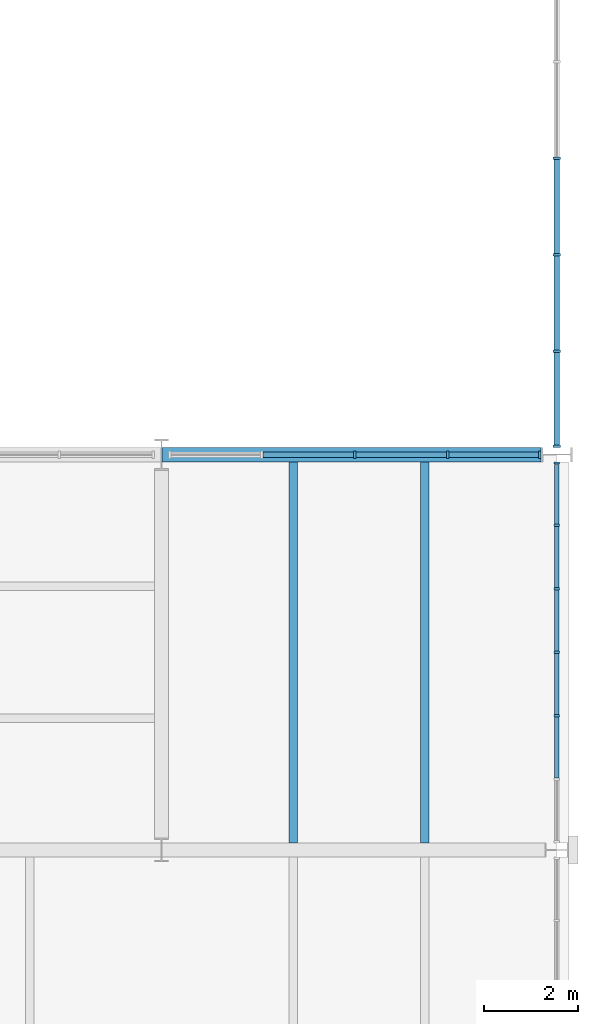
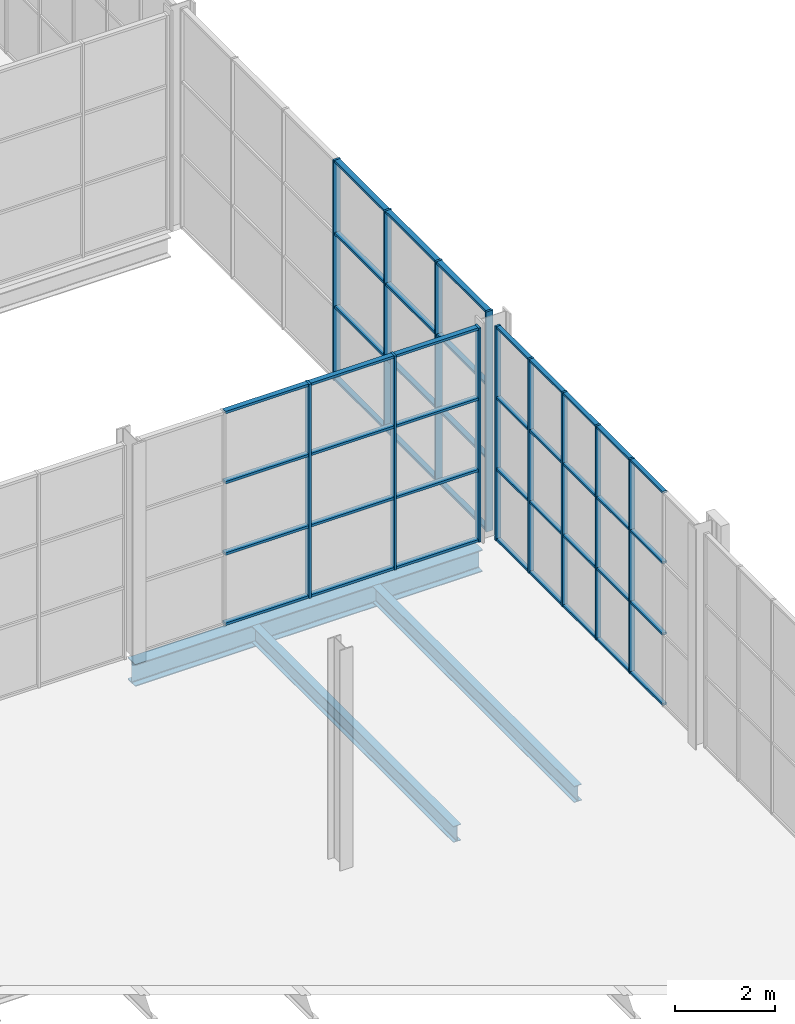
# One storey, part 25 of 64: 56 members, 3 beams, 3 elements without a shape of their own.
"""IFC4 building model written with IfcOpenShell, lengths in metres."""

from ifc_helpers import new_model, si_unit, direction, frame, origin, origin_2d, place, context, subcontext, project, spatial, rectangle, i_section, extrude, material, layer, layer_set, material_profile, profile_set, type_object, element, aggregate, save


model = new_model("IFC4")

# Units and contexts
model_context = context("Model", 3, precision=1e-05, world=origin(), true_north=direction((0.0, 1.0)))
body_context = subcontext(model_context, "Body", "Model", "MODEL_VIEW")
ifc_project = project(units=[si_unit("LENGTHUNIT", "METRE"), si_unit("AREAUNIT", "SQUARE_METRE"), si_unit("VOLUMEUNIT", "CUBIC_METRE"), si_unit("PLANEANGLEUNIT", "RADIAN"), si_unit("MASSUNIT", "GRAM", prefix="KILO")], contexts=[model_context])

# Site, building, storey
site_placement = place(None, origin())
site = spatial("IfcSite", under=ifc_project, at=site_placement, CompositionType="ELEMENT")
building_placement = place(site_placement, origin())
building = spatial("IfcBuilding", under=site, at=building_placement, Name="Galleria Vessillo Department Store", CompositionType="ELEMENT")
storey_placement = place(building_placement, frame((0.0, 0.0, 6.0)))
storey = spatial("IfcBuildingStorey", under=building, at=storey_placement, Name="L01", CompositionType="ELEMENT", Elevation=6.0)

# Curtain wall, members
ifc_material_1 = material(Name="Aluminium and glass curtain wall", Category="aluminium")
ifc_layer_1 = layer(ifc_material_1, 0.1201171875)
ifc_layer_set_1 = layer_set([ifc_layer_1], Name="Aluminium and glass curtain wall")
curtain_wall_type_1 = type_object("IfcCurtainWallType", Name="Shopfront curtain wall CW3 1400 module", PredefinedType="NOTDEFINED", material=ifc_layer_set_1)
curtain_wall_1_placement = place(storey_placement, origin())
curtain_wall_1 = element("IfcCurtainWall", 1, at=curtain_wall_1_placement, inside=storey, type_object=curtain_wall_type_1, Name="Shopfront curtain wall CW3 1400 module SE-S-L01-02", PredefinedType="NOTDEFINED")
ifc_material_2 = material(Name="Aluminium alloy 6063 T6", Category="aluminium")
ifc_material_profile_1 = material_profile(ifc_material_2, rectangle(XDim=0.1201171875, YDim=0.050048828125, at=origin_2d()), Name="AL 50x120")
ifc_profile_set_1 = profile_set([ifc_material_profile_1], Name="Aluminium alloy 6063 T6")
member_type_1 = type_object("IfcMemberType", Name="Aluminium mullion 50 x 120", PredefinedType="MULLION", material=ifc_profile_set_1)
member_1_placement = place(storey_placement, frame((117.60009765625, 19.649169921875, 0.0), z_axis=(0.0, 0.0, 1.0), x_axis=(-1.0, 0.0, 0.0)))
member_1 = element("IfcMember", 2, at=member_1_placement, type_object=member_type_1, Name="CW3 mullion 3", PredefinedType="MULLION", context=body_context, shape_type="SweptSolid", body=[
    extrude(rectangle(XDim=0.1201171875, YDim=0.050048828125, at=origin_2d()), origin(), (0.0, 0.0, 1.0), 5.25),
])
member_2_placement = place(storey_placement, frame((117.60009765625, 20.998779296875, 0.0), z_axis=(0.0, 0.0, 1.0), x_axis=(-1.0, 0.0, 0.0)))
member_2 = element("IfcMember", 3, at=member_2_placement, type_object=member_type_1, Name="CW3 mullion 4", PredefinedType="MULLION", context=body_context, shape_type="SweptSolid", body=[
    extrude(rectangle(XDim=0.1201171875, YDim=0.050048828125, at=origin_2d()), origin(), (0.0, 0.0, 1.0), 5.25),
])
member_3_placement = place(storey_placement, frame((117.60009765625, 22.34814453125, 0.0), z_axis=(0.0, 0.0, 1.0), x_axis=(-1.0, 0.0, 0.0)))
member_3 = element("IfcMember", 4, at=member_3_placement, type_object=member_type_1, Name="CW3 mullion 5", PredefinedType="MULLION", context=body_context, shape_type="SweptSolid", body=[
    extrude(rectangle(XDim=0.1201171875, YDim=0.050048828125, at=origin_2d()), origin(), (0.0, 0.0, 1.0), 5.25),
])
member_4_placement = place(storey_placement, frame((117.60009765625, 23.69775390625, 0.0), z_axis=(0.0, 0.0, 1.0), x_axis=(-1.0, 0.0, 0.0)))
member_4 = element("IfcMember", 5, at=member_4_placement, type_object=member_type_1, Name="CW3 mullion 6", PredefinedType="MULLION", context=body_context, shape_type="SweptSolid", body=[
    extrude(rectangle(XDim=0.1201171875, YDim=0.050048828125, at=origin_2d()), origin(), (0.0, 0.0, 1.0), 5.25),
])
member_5_placement = place(storey_placement, frame((117.60009765625, 25.0224609375, 0.0), z_axis=(0.0, 0.0, 1.0), x_axis=(-1.0, 0.0, 0.0)))
member_5 = element("IfcMember", 6, at=member_5_placement, type_object=member_type_1, Name="CW3 mullion 7", PredefinedType="MULLION", context=body_context, shape_type="SweptSolid", body=[
    extrude(rectangle(XDim=0.1201171875, YDim=0.050048828125, at=origin_2d()), origin(), (0.0, 0.0, 1.0), 5.25),
])

ifc_material_3 = material(Name="Aluminium and glass curtain wall", Category="aluminium")
ifc_layer_2 = layer(ifc_material_3, 0.159912109375)
ifc_layer_set_2 = layer_set([ifc_layer_2], Name="Aluminium and glass curtain wall")
curtain_wall_type_2 = type_object("IfcCurtainWallType", Name="Arcade portal glazing CW2 2100 module", PredefinedType="NOTDEFINED", material=ifc_layer_set_2)
curtain_wall_2_placement = place(storey_placement, origin())
curtain_wall_2 = element("IfcCurtainWall", 7, at=curtain_wall_2_placement, inside=storey, type_object=curtain_wall_type_2, Name="Arcade portal glazing CW2 2100 module PW-E-S-L01-02", PredefinedType="NOTDEFINED")
ifc_material_4 = material(Name="Aluminium alloy 6063 T6", Category="aluminium")
ifc_material_profile_2 = material_profile(ifc_material_4, rectangle(XDim=0.159912109375, YDim=0.050048828125, at=origin_2d()), Name="AL 50x160")
ifc_profile_set_2 = profile_set([ifc_material_profile_2], Name="Aluminium alloy 6063 T6")
member_type_2 = type_object("IfcMemberType", Name="Aluminium mullion 50 x 160", PredefinedType="MULLION", material=ifc_profile_set_2)
member_6_placement = place(storey_placement, frame((113.309326171875, 25.199951171875, 0.0), z_axis=(0.0, 0.0, 1.0), x_axis=(0.0, 1.0, 0.0)))
member_6 = element("IfcMember", 8, at=member_6_placement, type_object=member_type_2, Name="CW2 mullion 3", PredefinedType="MULLION", context=body_context, shape_type="SweptSolid", body=[
    extrude(rectangle(XDim=0.159912109375, YDim=0.050048828125, at=origin_2d()), origin(), (0.0, 0.0, 1.0), 5.25),
])
member_7_placement = place(storey_placement, frame((115.28759765625, 25.199951171875, 0.0), z_axis=(0.0, 0.0, 1.0), x_axis=(0.0, 1.0, 0.0)))
member_7 = element("IfcMember", 9, at=member_7_placement, type_object=member_type_2, Name="CW2 mullion 4", PredefinedType="MULLION", context=body_context, shape_type="SweptSolid", body=[
    extrude(rectangle(XDim=0.159912109375, YDim=0.050048828125, at=origin_2d()), origin(), (0.0, 0.0, 1.0), 5.25),
])
member_8_placement = place(storey_placement, frame((117.2412109375, 25.199951171875, 0.0), z_axis=(0.0, 0.0, 1.0), x_axis=(0.0, 1.0, 0.0)))
member_8 = element("IfcMember", 10, at=member_8_placement, type_object=member_type_2, Name="CW2 mullion 5", PredefinedType="MULLION", context=body_context, shape_type="SweptSolid", body=[
    extrude(rectangle(XDim=0.159912109375, YDim=0.050048828125, at=origin_2d()), origin(), (0.0, 0.0, 1.0), 5.25),
])

curtain_wall_3_placement = place(storey_placement, origin())
curtain_wall_3 = element("IfcCurtainWall", 11, at=curtain_wall_3_placement, inside=storey, type_object=curtain_wall_type_2, Name="Arcade portal glazing CW2 2100 module SCR-E-L01-01", PredefinedType="NOTDEFINED")
member_9_placement = place(storey_placement, frame((117.60009765625, 25.37744140625, 0.0), z_axis=(0.0, 0.0, 1.0), x_axis=(-1.0, 0.0, 0.0)))
member_9 = element("IfcMember", 12, at=member_9_placement, type_object=member_type_2, Name="CW2 mullion 1", PredefinedType="MULLION", context=body_context, shape_type="SweptSolid", body=[
    extrude(rectangle(XDim=0.159912109375, YDim=0.050048828125, at=origin_2d()), origin(), (0.0, 0.0, 1.0), 5.39990234375),
])
member_10_placement = place(storey_placement, frame((117.60009765625, 27.401611328125, 0.0), z_axis=(0.0, 0.0, 1.0), x_axis=(-1.0, 0.0, 0.0)))
member_10 = element("IfcMember", 13, at=member_10_placement, type_object=member_type_2, Name="CW2 mullion 2", PredefinedType="MULLION", context=body_context, shape_type="SweptSolid", body=[
    extrude(rectangle(XDim=0.159912109375, YDim=0.050048828125, at=origin_2d()), origin(), (0.0, 0.0, 1.0), 5.39990234375),
])
member_11_placement = place(storey_placement, frame((117.60009765625, 29.45068359375, 0.0), z_axis=(0.0, 0.0, 1.0), x_axis=(-1.0, 0.0, 0.0)))
member_11 = element("IfcMember", 14, at=member_11_placement, type_object=member_type_2, Name="CW2 mullion 3", PredefinedType="MULLION", context=body_context, shape_type="SweptSolid", body=[
    extrude(rectangle(XDim=0.159912109375, YDim=0.050048828125, at=origin_2d()), origin(), (0.0, 0.0, 1.0), 5.39990234375),
])
member_12_placement = place(storey_placement, frame((117.60009765625, 31.499755859375, 0.0), z_axis=(0.0, 0.0, 1.0), x_axis=(-1.0, 0.0, 0.0)))
member_12 = element("IfcMember", 15, at=member_12_placement, type_object=member_type_2, Name="CW2 mullion 4", PredefinedType="MULLION", context=body_context, shape_type="SweptSolid", body=[
    extrude(rectangle(XDim=0.159912109375, YDim=0.050048828125, at=origin_2d()), origin(), (0.0, 0.0, 1.0), 5.39990234375),
])

# Member
ifc_material_5 = material(Name="Aluminium alloy 6063 T6", Category="aluminium")
ifc_material_profile_3 = material_profile(ifc_material_5, rectangle(XDim=0.10009765625, YDim=0.050048828125, at=origin_2d()), Name="AL 50x100")
ifc_profile_set_3 = profile_set([ifc_material_profile_3], Name="Aluminium alloy 6063 T6")
member_type_3 = type_object("IfcMemberType", Name="Aluminium transom 50 x 100", PredefinedType="USERDEFINED", material=ifc_profile_set_3)
member_13_placement = place(storey_placement, frame((117.60009765625, 18.324462890625, 0.02490234375), z_axis=(0.0, 1.0, 0.0), x_axis=(-1.0, 0.0, 0.0)))
member_13 = element("IfcMember", 16, at=member_13_placement, type_object=member_type_3, Name="CW3 transom 2.1", ObjectType="TRANSOM", PredefinedType="USERDEFINED", context=body_context, shape_type="SweptSolid", body=[
    extrude(rectangle(XDim=0.10009765625, YDim=0.050048828125, at=origin_2d()), origin(), (0.0, 0.0, 1.0), 1.299560546875),
])

member_14_placement = place(storey_placement, frame((117.60009765625, 18.324462890625, 1.75), z_axis=(0.0, 1.0, 0.0), x_axis=(-1.0, 0.0, 0.0)))
member_14 = element("IfcMember", 17, at=member_14_placement, type_object=member_type_3, Name="CW3 transom 2.2", ObjectType="TRANSOM", PredefinedType="USERDEFINED", context=body_context, shape_type="SweptSolid", body=[
    extrude(rectangle(XDim=0.10009765625, YDim=0.050048828125, at=origin_2d()), origin(), (0.0, 0.0, 1.0), 1.299560546875),
])

member_15_placement = place(storey_placement, frame((117.60009765625, 18.324462890625, 3.5), z_axis=(0.0, 1.0, 0.0), x_axis=(-1.0, 0.0, 0.0)))
member_15 = element("IfcMember", 18, at=member_15_placement, type_object=member_type_3, Name="CW3 transom 2.3", ObjectType="TRANSOM", PredefinedType="USERDEFINED", context=body_context, shape_type="SweptSolid", body=[
    extrude(rectangle(XDim=0.10009765625, YDim=0.050048828125, at=origin_2d()), origin(), (0.0, 0.0, 1.0), 1.299560546875),
])

member_16_placement = place(storey_placement, frame((117.60009765625, 18.324462890625, 5.22509765625), z_axis=(0.0, 1.0, 0.0), x_axis=(-1.0, 0.0, 0.0)))
member_16 = element("IfcMember", 19, at=member_16_placement, type_object=member_type_3, Name="CW3 transom 2.4", ObjectType="TRANSOM", PredefinedType="USERDEFINED", context=body_context, shape_type="SweptSolid", body=[
    extrude(rectangle(XDim=0.10009765625, YDim=0.050048828125, at=origin_2d()), origin(), (0.0, 0.0, 1.0), 1.299560546875),
])

member_17_placement = place(storey_placement, frame((117.60009765625, 19.674072265625, 0.02490234375), z_axis=(0.0, 1.0, 0.0), x_axis=(-1.0, 0.0, 0.0)))
member_17 = element("IfcMember", 20, at=member_17_placement, type_object=member_type_3, Name="CW3 transom 3.1", ObjectType="TRANSOM", PredefinedType="USERDEFINED", context=body_context, shape_type="SweptSolid", body=[
    extrude(rectangle(XDim=0.10009765625, YDim=0.050048828125, at=origin_2d()), origin(), (0.0, 0.0, 1.0), 1.299560546875),
])

member_18_placement = place(storey_placement, frame((117.60009765625, 19.674072265625, 1.75), z_axis=(0.0, 1.0, 0.0), x_axis=(-1.0, 0.0, 0.0)))
member_18 = element("IfcMember", 21, at=member_18_placement, type_object=member_type_3, Name="CW3 transom 3.2", ObjectType="TRANSOM", PredefinedType="USERDEFINED", context=body_context, shape_type="SweptSolid", body=[
    extrude(rectangle(XDim=0.10009765625, YDim=0.050048828125, at=origin_2d()), origin(), (0.0, 0.0, 1.0), 1.299560546875),
])

member_19_placement = place(storey_placement, frame((117.60009765625, 19.674072265625, 3.5), z_axis=(0.0, 1.0, 0.0), x_axis=(-1.0, 0.0, 0.0)))
member_19 = element("IfcMember", 22, at=member_19_placement, type_object=member_type_3, Name="CW3 transom 3.3", ObjectType="TRANSOM", PredefinedType="USERDEFINED", context=body_context, shape_type="SweptSolid", body=[
    extrude(rectangle(XDim=0.10009765625, YDim=0.050048828125, at=origin_2d()), origin(), (0.0, 0.0, 1.0), 1.299560546875),
])

member_20_placement = place(storey_placement, frame((117.60009765625, 19.674072265625, 5.22509765625), z_axis=(0.0, 1.0, 0.0), x_axis=(-1.0, 0.0, 0.0)))
member_20 = element("IfcMember", 23, at=member_20_placement, type_object=member_type_3, Name="CW3 transom 3.4", ObjectType="TRANSOM", PredefinedType="USERDEFINED", context=body_context, shape_type="SweptSolid", body=[
    extrude(rectangle(XDim=0.10009765625, YDim=0.050048828125, at=origin_2d()), origin(), (0.0, 0.0, 1.0), 1.299560546875),
])

member_21_placement = place(storey_placement, frame((117.60009765625, 21.023681640625, 0.02490234375), z_axis=(0.0, 1.0, 0.0), x_axis=(-1.0, 0.0, 0.0)))
member_21 = element("IfcMember", 24, at=member_21_placement, type_object=member_type_3, Name="CW3 transom 4.1", ObjectType="TRANSOM", PredefinedType="USERDEFINED", context=body_context, shape_type="SweptSolid", body=[
    extrude(rectangle(XDim=0.10009765625, YDim=0.050048828125, at=origin_2d()), origin(), (0.0, 0.0, 1.0), 1.299560546875),
])

member_22_placement = place(storey_placement, frame((117.60009765625, 21.023681640625, 1.75), z_axis=(0.0, 1.0, 0.0), x_axis=(-1.0, 0.0, 0.0)))
member_22 = element("IfcMember", 25, at=member_22_placement, type_object=member_type_3, Name="CW3 transom 4.2", ObjectType="TRANSOM", PredefinedType="USERDEFINED", context=body_context, shape_type="SweptSolid", body=[
    extrude(rectangle(XDim=0.10009765625, YDim=0.050048828125, at=origin_2d()), origin(), (0.0, 0.0, 1.0), 1.299560546875),
])

member_23_placement = place(storey_placement, frame((117.60009765625, 21.023681640625, 3.5), z_axis=(0.0, 1.0, 0.0), x_axis=(-1.0, 0.0, 0.0)))
member_23 = element("IfcMember", 26, at=member_23_placement, type_object=member_type_3, Name="CW3 transom 4.3", ObjectType="TRANSOM", PredefinedType="USERDEFINED", context=body_context, shape_type="SweptSolid", body=[
    extrude(rectangle(XDim=0.10009765625, YDim=0.050048828125, at=origin_2d()), origin(), (0.0, 0.0, 1.0), 1.299560546875),
])

member_24_placement = place(storey_placement, frame((117.60009765625, 21.023681640625, 5.22509765625), z_axis=(0.0, 1.0, 0.0), x_axis=(-1.0, 0.0, 0.0)))
member_24 = element("IfcMember", 27, at=member_24_placement, type_object=member_type_3, Name="CW3 transom 4.4", ObjectType="TRANSOM", PredefinedType="USERDEFINED", context=body_context, shape_type="SweptSolid", body=[
    extrude(rectangle(XDim=0.10009765625, YDim=0.050048828125, at=origin_2d()), origin(), (0.0, 0.0, 1.0), 1.299560546875),
])

member_25_placement = place(storey_placement, frame((117.60009765625, 22.373291015625, 0.02490234375), z_axis=(0.0, 1.0, 0.0), x_axis=(-1.0, 0.0, 0.0)))
member_25 = element("IfcMember", 28, at=member_25_placement, type_object=member_type_3, Name="CW3 transom 5.1", ObjectType="TRANSOM", PredefinedType="USERDEFINED", context=body_context, shape_type="SweptSolid", body=[
    extrude(rectangle(XDim=0.10009765625, YDim=0.050048828125, at=origin_2d()), origin(), (0.0, 0.0, 1.0), 1.299560546875),
])

member_26_placement = place(storey_placement, frame((117.60009765625, 22.373291015625, 1.75), z_axis=(0.0, 1.0, 0.0), x_axis=(-1.0, 0.0, 0.0)))
member_26 = element("IfcMember", 29, at=member_26_placement, type_object=member_type_3, Name="CW3 transom 5.2", ObjectType="TRANSOM", PredefinedType="USERDEFINED", context=body_context, shape_type="SweptSolid", body=[
    extrude(rectangle(XDim=0.10009765625, YDim=0.050048828125, at=origin_2d()), origin(), (0.0, 0.0, 1.0), 1.299560546875),
])

member_27_placement = place(storey_placement, frame((117.60009765625, 22.373291015625, 3.5), z_axis=(0.0, 1.0, 0.0), x_axis=(-1.0, 0.0, 0.0)))
member_27 = element("IfcMember", 30, at=member_27_placement, type_object=member_type_3, Name="CW3 transom 5.3", ObjectType="TRANSOM", PredefinedType="USERDEFINED", context=body_context, shape_type="SweptSolid", body=[
    extrude(rectangle(XDim=0.10009765625, YDim=0.050048828125, at=origin_2d()), origin(), (0.0, 0.0, 1.0), 1.299560546875),
])

member_28_placement = place(storey_placement, frame((117.60009765625, 22.373291015625, 5.22509765625), z_axis=(0.0, 1.0, 0.0), x_axis=(-1.0, 0.0, 0.0)))
member_28 = element("IfcMember", 31, at=member_28_placement, type_object=member_type_3, Name="CW3 transom 5.4", ObjectType="TRANSOM", PredefinedType="USERDEFINED", context=body_context, shape_type="SweptSolid", body=[
    extrude(rectangle(XDim=0.10009765625, YDim=0.050048828125, at=origin_2d()), origin(), (0.0, 0.0, 1.0), 1.299560546875),
])

member_29_placement = place(storey_placement, frame((117.60009765625, 23.722900390625, 0.02490234375), z_axis=(0.0, 1.0, 0.0), x_axis=(-1.0, 0.0, 0.0)))
member_29 = element("IfcMember", 32, at=member_29_placement, type_object=member_type_3, Name="CW3 transom 6.1", ObjectType="TRANSOM", PredefinedType="USERDEFINED", context=body_context, shape_type="SweptSolid", body=[
    extrude(rectangle(XDim=0.10009765625, YDim=0.050048828125, at=origin_2d()), origin(), (0.0, 0.0, 1.0), 1.2744140625),
])

member_30_placement = place(storey_placement, frame((117.60009765625, 23.722900390625, 1.75), z_axis=(0.0, 1.0, 0.0), x_axis=(-1.0, 0.0, 0.0)))
member_30 = element("IfcMember", 33, at=member_30_placement, type_object=member_type_3, Name="CW3 transom 6.2", ObjectType="TRANSOM", PredefinedType="USERDEFINED", context=body_context, shape_type="SweptSolid", body=[
    extrude(rectangle(XDim=0.10009765625, YDim=0.050048828125, at=origin_2d()), origin(), (0.0, 0.0, 1.0), 1.2744140625),
])

member_31_placement = place(storey_placement, frame((117.60009765625, 23.722900390625, 3.5), z_axis=(0.0, 1.0, 0.0), x_axis=(-1.0, 0.0, 0.0)))
member_31 = element("IfcMember", 34, at=member_31_placement, type_object=member_type_3, Name="CW3 transom 6.3", ObjectType="TRANSOM", PredefinedType="USERDEFINED", context=body_context, shape_type="SweptSolid", body=[
    extrude(rectangle(XDim=0.10009765625, YDim=0.050048828125, at=origin_2d()), origin(), (0.0, 0.0, 1.0), 1.2744140625),
])

member_32_placement = place(storey_placement, frame((117.60009765625, 23.722900390625, 5.22509765625), z_axis=(0.0, 1.0, 0.0), x_axis=(-1.0, 0.0, 0.0)))
member_32 = element("IfcMember", 35, at=member_32_placement, type_object=member_type_3, Name="CW3 transom 6.4", ObjectType="TRANSOM", PredefinedType="USERDEFINED", context=body_context, shape_type="SweptSolid", body=[
    extrude(rectangle(XDim=0.10009765625, YDim=0.050048828125, at=origin_2d()), origin(), (0.0, 0.0, 1.0), 1.2744140625),
])

aggregate(curtain_wall_1, [member_1, member_2, member_3, member_4, member_5, member_13, member_14, member_15, member_16, member_17, member_18, member_19, member_20, member_21, member_22, member_23, member_24, member_25, member_26, member_27, member_28, member_29, member_30, member_31, member_32])

ifc_material_6 = material(Name="Aluminium alloy 6063 T6", Category="aluminium")
ifc_material_profile_4 = material_profile(ifc_material_6, rectangle(XDim=0.1201171875, YDim=0.06005859375, at=origin_2d()), Name="AL 60x120")
ifc_profile_set_4 = profile_set([ifc_material_profile_4], Name="Aluminium alloy 6063 T6")
member_type_4 = type_object("IfcMemberType", Name="Aluminium transom 60 x 120", PredefinedType="USERDEFINED", material=ifc_profile_set_4)
member_33_placement = place(storey_placement, frame((111.35595703125, 25.199951171875, 0.030029296875), z_axis=(1.0, 0.0, 0.0), x_axis=(0.0, 1.0, 0.0)))
member_33 = element("IfcMember", 36, at=member_33_placement, type_object=member_type_4, Name="CW2 transom 2.1", ObjectType="TRANSOM", PredefinedType="USERDEFINED", context=body_context, shape_type="SweptSolid", body=[
    extrude(rectangle(XDim=0.1201171875, YDim=0.06005859375, at=origin_2d()), origin(), (0.0, 0.0, 1.0), 1.928466796875),
])

member_34_placement = place(storey_placement, frame((111.35595703125, 25.199951171875, 1.75), z_axis=(1.0, 0.0, 0.0), x_axis=(0.0, 1.0, 0.0)))
member_34 = element("IfcMember", 37, at=member_34_placement, type_object=member_type_4, Name="CW2 transom 2.2", ObjectType="TRANSOM", PredefinedType="USERDEFINED", context=body_context, shape_type="SweptSolid", body=[
    extrude(rectangle(XDim=0.1201171875, YDim=0.06005859375, at=origin_2d()), origin(), (0.0, 0.0, 1.0), 1.928466796875),
])

member_35_placement = place(storey_placement, frame((111.35595703125, 25.199951171875, 3.5), z_axis=(1.0, 0.0, 0.0), x_axis=(0.0, 1.0, 0.0)))
member_35 = element("IfcMember", 38, at=member_35_placement, type_object=member_type_4, Name="CW2 transom 2.3", ObjectType="TRANSOM", PredefinedType="USERDEFINED", context=body_context, shape_type="SweptSolid", body=[
    extrude(rectangle(XDim=0.1201171875, YDim=0.06005859375, at=origin_2d()), origin(), (0.0, 0.0, 1.0), 1.928466796875),
])

member_36_placement = place(storey_placement, frame((111.35595703125, 25.199951171875, 5.219970703125), z_axis=(1.0, 0.0, 0.0), x_axis=(0.0, 1.0, 0.0)))
member_36 = element("IfcMember", 39, at=member_36_placement, type_object=member_type_4, Name="CW2 transom 2.4", ObjectType="TRANSOM", PredefinedType="USERDEFINED", context=body_context, shape_type="SweptSolid", body=[
    extrude(rectangle(XDim=0.1201171875, YDim=0.06005859375, at=origin_2d()), origin(), (0.0, 0.0, 1.0), 1.928466796875),
])

member_37_placement = place(storey_placement, frame((113.334228515625, 25.199951171875, 0.030029296875), z_axis=(1.0, 0.0, 0.0), x_axis=(0.0, 1.0, 0.0)))
member_37 = element("IfcMember", 40, at=member_37_placement, type_object=member_type_4, Name="CW2 transom 3.1", ObjectType="TRANSOM", PredefinedType="USERDEFINED", context=body_context, shape_type="SweptSolid", body=[
    extrude(rectangle(XDim=0.1201171875, YDim=0.06005859375, at=origin_2d()), origin(), (0.0, 0.0, 1.0), 1.928466796875),
])

member_38_placement = place(storey_placement, frame((113.334228515625, 25.199951171875, 1.75), z_axis=(1.0, 0.0, 0.0), x_axis=(0.0, 1.0, 0.0)))
member_38 = element("IfcMember", 41, at=member_38_placement, type_object=member_type_4, Name="CW2 transom 3.2", ObjectType="TRANSOM", PredefinedType="USERDEFINED", context=body_context, shape_type="SweptSolid", body=[
    extrude(rectangle(XDim=0.1201171875, YDim=0.06005859375, at=origin_2d()), origin(), (0.0, 0.0, 1.0), 1.928466796875),
])

member_39_placement = place(storey_placement, frame((113.334228515625, 25.199951171875, 3.5), z_axis=(1.0, 0.0, 0.0), x_axis=(0.0, 1.0, 0.0)))
member_39 = element("IfcMember", 42, at=member_39_placement, type_object=member_type_4, Name="CW2 transom 3.3", ObjectType="TRANSOM", PredefinedType="USERDEFINED", context=body_context, shape_type="SweptSolid", body=[
    extrude(rectangle(XDim=0.1201171875, YDim=0.06005859375, at=origin_2d()), origin(), (0.0, 0.0, 1.0), 1.928466796875),
])

member_40_placement = place(storey_placement, frame((113.334228515625, 25.199951171875, 5.219970703125), z_axis=(1.0, 0.0, 0.0), x_axis=(0.0, 1.0, 0.0)))
member_40 = element("IfcMember", 43, at=member_40_placement, type_object=member_type_4, Name="CW2 transom 3.4", ObjectType="TRANSOM", PredefinedType="USERDEFINED", context=body_context, shape_type="SweptSolid", body=[
    extrude(rectangle(XDim=0.1201171875, YDim=0.06005859375, at=origin_2d()), origin(), (0.0, 0.0, 1.0), 1.928466796875),
])

member_41_placement = place(storey_placement, frame((115.312744140625, 25.199951171875, 0.030029296875), z_axis=(1.0, 0.0, 0.0), x_axis=(0.0, 1.0, 0.0)))
member_41 = element("IfcMember", 44, at=member_41_placement, type_object=member_type_4, Name="CW2 transom 4.1", ObjectType="TRANSOM", PredefinedType="USERDEFINED", context=body_context, shape_type="SweptSolid", body=[
    extrude(rectangle(XDim=0.1201171875, YDim=0.06005859375, at=origin_2d()), origin(), (0.0, 0.0, 1.0), 1.9033203125),
])

member_42_placement = place(storey_placement, frame((115.312744140625, 25.199951171875, 1.75), z_axis=(1.0, 0.0, 0.0), x_axis=(0.0, 1.0, 0.0)))
member_42 = element("IfcMember", 45, at=member_42_placement, type_object=member_type_4, Name="CW2 transom 4.2", ObjectType="TRANSOM", PredefinedType="USERDEFINED", context=body_context, shape_type="SweptSolid", body=[
    extrude(rectangle(XDim=0.1201171875, YDim=0.06005859375, at=origin_2d()), origin(), (0.0, 0.0, 1.0), 1.9033203125),
])

member_43_placement = place(storey_placement, frame((115.312744140625, 25.199951171875, 3.5), z_axis=(1.0, 0.0, 0.0), x_axis=(0.0, 1.0, 0.0)))
member_43 = element("IfcMember", 46, at=member_43_placement, type_object=member_type_4, Name="CW2 transom 4.3", ObjectType="TRANSOM", PredefinedType="USERDEFINED", context=body_context, shape_type="SweptSolid", body=[
    extrude(rectangle(XDim=0.1201171875, YDim=0.06005859375, at=origin_2d()), origin(), (0.0, 0.0, 1.0), 1.9033203125),
])

member_44_placement = place(storey_placement, frame((115.312744140625, 25.199951171875, 5.219970703125), z_axis=(1.0, 0.0, 0.0), x_axis=(0.0, 1.0, 0.0)))
member_44 = element("IfcMember", 47, at=member_44_placement, type_object=member_type_4, Name="CW2 transom 4.4", ObjectType="TRANSOM", PredefinedType="USERDEFINED", context=body_context, shape_type="SweptSolid", body=[
    extrude(rectangle(XDim=0.1201171875, YDim=0.06005859375, at=origin_2d()), origin(), (0.0, 0.0, 1.0), 1.9033203125),
])

aggregate(curtain_wall_2, [member_6, member_7, member_8, member_33, member_34, member_35, member_36, member_37, member_38, member_39, member_40, member_41, member_42, member_43, member_44])

member_45_placement = place(storey_placement, frame((117.60009765625, 25.402587890625, 0.030029296875), z_axis=(0.0, 1.0, 0.0), x_axis=(-1.0, 0.0, 0.0)))
member_45 = element("IfcMember", 48, at=member_45_placement, type_object=member_type_4, Name="CW2 transom 1.1", ObjectType="TRANSOM", PredefinedType="USERDEFINED", context=body_context, shape_type="SweptSolid", body=[
    extrude(rectangle(XDim=0.1201171875, YDim=0.06005859375, at=origin_2d()), origin(), (0.0, 0.0, 1.0), 1.97412109375),
])

member_46_placement = place(storey_placement, frame((117.60009765625, 25.402587890625, 1.800048828125), z_axis=(0.0, 1.0, 0.0), x_axis=(-1.0, 0.0, 0.0)))
member_46 = element("IfcMember", 49, at=member_46_placement, type_object=member_type_4, Name="CW2 transom 1.2", ObjectType="TRANSOM", PredefinedType="USERDEFINED", context=body_context, shape_type="SweptSolid", body=[
    extrude(rectangle(XDim=0.1201171875, YDim=0.06005859375, at=origin_2d()), origin(), (0.0, 0.0, 1.0), 1.97412109375),
])

member_47_placement = place(storey_placement, frame((117.60009765625, 25.402587890625, 3.599853515625), z_axis=(0.0, 1.0, 0.0), x_axis=(-1.0, 0.0, 0.0)))
member_47 = element("IfcMember", 50, at=member_47_placement, type_object=member_type_4, Name="CW2 transom 1.3", ObjectType="TRANSOM", PredefinedType="USERDEFINED", context=body_context, shape_type="SweptSolid", body=[
    extrude(rectangle(XDim=0.1201171875, YDim=0.06005859375, at=origin_2d()), origin(), (0.0, 0.0, 1.0), 1.97412109375),
])

member_48_placement = place(storey_placement, frame((117.60009765625, 25.402587890625, 5.369873046875), z_axis=(0.0, 1.0, 0.0), x_axis=(-1.0, 0.0, 0.0)))
member_48 = element("IfcMember", 51, at=member_48_placement, type_object=member_type_4, Name="CW2 transom 1.4", ObjectType="TRANSOM", PredefinedType="USERDEFINED", context=body_context, shape_type="SweptSolid", body=[
    extrude(rectangle(XDim=0.1201171875, YDim=0.06005859375, at=origin_2d()), origin(), (0.0, 0.0, 1.0), 1.97412109375),
])

member_49_placement = place(storey_placement, frame((117.60009765625, 27.426513671875, 0.030029296875), z_axis=(0.0, 1.0, 0.0), x_axis=(-1.0, 0.0, 0.0)))
member_49 = element("IfcMember", 52, at=member_49_placement, type_object=member_type_4, Name="CW2 transom 2.1", ObjectType="TRANSOM", PredefinedType="USERDEFINED", context=body_context, shape_type="SweptSolid", body=[
    extrude(rectangle(XDim=0.1201171875, YDim=0.06005859375, at=origin_2d()), origin(), (0.0, 0.0, 1.0), 1.999267578125),
])

member_50_placement = place(storey_placement, frame((117.60009765625, 27.426513671875, 1.800048828125), z_axis=(0.0, 1.0, 0.0), x_axis=(-1.0, 0.0, 0.0)))
member_50 = element("IfcMember", 53, at=member_50_placement, type_object=member_type_4, Name="CW2 transom 2.2", ObjectType="TRANSOM", PredefinedType="USERDEFINED", context=body_context, shape_type="SweptSolid", body=[
    extrude(rectangle(XDim=0.1201171875, YDim=0.06005859375, at=origin_2d()), origin(), (0.0, 0.0, 1.0), 1.999267578125),
])

member_51_placement = place(storey_placement, frame((117.60009765625, 27.426513671875, 3.599853515625), z_axis=(0.0, 1.0, 0.0), x_axis=(-1.0, 0.0, 0.0)))
member_51 = element("IfcMember", 54, at=member_51_placement, type_object=member_type_4, Name="CW2 transom 2.3", ObjectType="TRANSOM", PredefinedType="USERDEFINED", context=body_context, shape_type="SweptSolid", body=[
    extrude(rectangle(XDim=0.1201171875, YDim=0.06005859375, at=origin_2d()), origin(), (0.0, 0.0, 1.0), 1.999267578125),
])

member_52_placement = place(storey_placement, frame((117.60009765625, 27.426513671875, 5.369873046875), z_axis=(0.0, 1.0, 0.0), x_axis=(-1.0, 0.0, 0.0)))
member_52 = element("IfcMember", 55, at=member_52_placement, type_object=member_type_4, Name="CW2 transom 2.4", ObjectType="TRANSOM", PredefinedType="USERDEFINED", context=body_context, shape_type="SweptSolid", body=[
    extrude(rectangle(XDim=0.1201171875, YDim=0.06005859375, at=origin_2d()), origin(), (0.0, 0.0, 1.0), 1.999267578125),
])

member_53_placement = place(storey_placement, frame((117.60009765625, 29.4755859375, 0.030029296875), z_axis=(0.0, 1.0, 0.0), x_axis=(-1.0, 0.0, 0.0)))
member_53 = element("IfcMember", 56, at=member_53_placement, type_object=member_type_4, Name="CW2 transom 3.1", ObjectType="TRANSOM", PredefinedType="USERDEFINED", context=body_context, shape_type="SweptSolid", body=[
    extrude(rectangle(XDim=0.1201171875, YDim=0.06005859375, at=origin_2d()), origin(), (0.0, 0.0, 1.0), 1.999267578125),
])

member_54_placement = place(storey_placement, frame((117.60009765625, 29.4755859375, 1.800048828125), z_axis=(0.0, 1.0, 0.0), x_axis=(-1.0, 0.0, 0.0)))
member_54 = element("IfcMember", 57, at=member_54_placement, type_object=member_type_4, Name="CW2 transom 3.2", ObjectType="TRANSOM", PredefinedType="USERDEFINED", context=body_context, shape_type="SweptSolid", body=[
    extrude(rectangle(XDim=0.1201171875, YDim=0.06005859375, at=origin_2d()), origin(), (0.0, 0.0, 1.0), 1.999267578125),
])

member_55_placement = place(storey_placement, frame((117.60009765625, 29.4755859375, 3.599853515625), z_axis=(0.0, 1.0, 0.0), x_axis=(-1.0, 0.0, 0.0)))
member_55 = element("IfcMember", 58, at=member_55_placement, type_object=member_type_4, Name="CW2 transom 3.3", ObjectType="TRANSOM", PredefinedType="USERDEFINED", context=body_context, shape_type="SweptSolid", body=[
    extrude(rectangle(XDim=0.1201171875, YDim=0.06005859375, at=origin_2d()), origin(), (0.0, 0.0, 1.0), 1.999267578125),
])

member_56_placement = place(storey_placement, frame((117.60009765625, 29.4755859375, 5.369873046875), z_axis=(0.0, 1.0, 0.0), x_axis=(-1.0, 0.0, 0.0)))
member_56 = element("IfcMember", 59, at=member_56_placement, type_object=member_type_4, Name="CW2 transom 3.4", ObjectType="TRANSOM", PredefinedType="USERDEFINED", context=body_context, shape_type="SweptSolid", body=[
    extrude(rectangle(XDim=0.1201171875, YDim=0.06005859375, at=origin_2d()), origin(), (0.0, 0.0, 1.0), 1.999267578125),
])

aggregate(curtain_wall_3, [member_9, member_10, member_11, member_12, member_45, member_46, member_47, member_48, member_49, member_50, member_51, member_52, member_53, member_54, member_55, member_56])

# Beams
ifc_material_7 = material(Name="Steel S355 J2", Category="steel")
ifc_material_profile_5 = material_profile(ifc_material_7, i_section(OverallWidth=0.179931640625, OverallDepth=0.39990234375, WebThickness=0.008544921875, FlangeThickness=0.013427734375, FilletRadius=0.02099609375, at=origin_2d()), Name="IPE 400")
ifc_profile_set_5 = profile_set([ifc_material_profile_5], Name="Steel S355 J2")
beam_type_1 = type_object("IfcBeamType", Name="Floor joist IPE 400", PredefinedType="JOIST", material=ifc_profile_set_5)
for number, where, z_axis, x_axis, name in (
    (60, (112.0, 16.9501953125, -0.349853515625), (0.0, 1.0, 0.0), (-1.0, 0.0, 0.0), "S-BM-L01-JO-y112000-16950"),
    (61, (114.800048828125, 16.9501953125, -0.349853515625), (0.0, 1.0, 0.0), (-1.0, 0.0, 0.0), "S-BM-L01-JO-y114800-16950"),
):
    element("IfcBeam", number, at=place(storey_placement, frame(where, z_axis=z_axis, x_axis=x_axis)), inside=storey, type_object=beam_type_1, Name=name, PredefinedType="JOIST", context=body_context, shape_type="SweptSolid", body=[
        extrude(i_section(OverallWidth=0.179931640625, OverallDepth=0.39990234375, WebThickness=0.008544921875, FlangeThickness=0.013427734375, FilletRadius=0.02099609375, at=origin_2d()), origin(), (0.0, 0.0, 1.0), 8.099609375),
    ])
ifc_material_8 = material(Name="Steel S355 J2", Category="steel")
ifc_material_profile_6 = material_profile(ifc_material_8, i_section(OverallWidth=0.300048828125, OverallDepth=0.5400390625, WebThickness=0.012451171875, FlangeThickness=0.02392578125, FilletRadius=0.027099609375, at=origin_2d()), Name="HEA 550")
ifc_profile_set_6 = profile_set([ifc_material_profile_6], Name="Steel S355 J2")
beam_type_2 = type_object("IfcBeamType", Name="Trimmer beam HEA 550", PredefinedType="BEAM", material=ifc_profile_set_6)
beam_placement = place(storey_placement, frame((109.210693359375, 25.199951171875, -0.419921875), z_axis=(1.0, 0.0, 0.0), x_axis=(0.0, 1.0, 0.0)))
element("IfcBeam", 62, at=beam_placement, inside=storey, type_object=beam_type_2, Name="S-BM-L01-TR-x25200-109211", PredefinedType="BEAM", context=body_context, shape_type="SweptSolid", body=[
    extrude(i_section(OverallWidth=0.300048828125, OverallDepth=0.5400390625, WebThickness=0.012451171875, FlangeThickness=0.02392578125, FilletRadius=0.027099609375, at=origin_2d()), origin(), (0.0, 0.0, 1.0), 8.05517578125),
])

save(model, "model.ifc")
